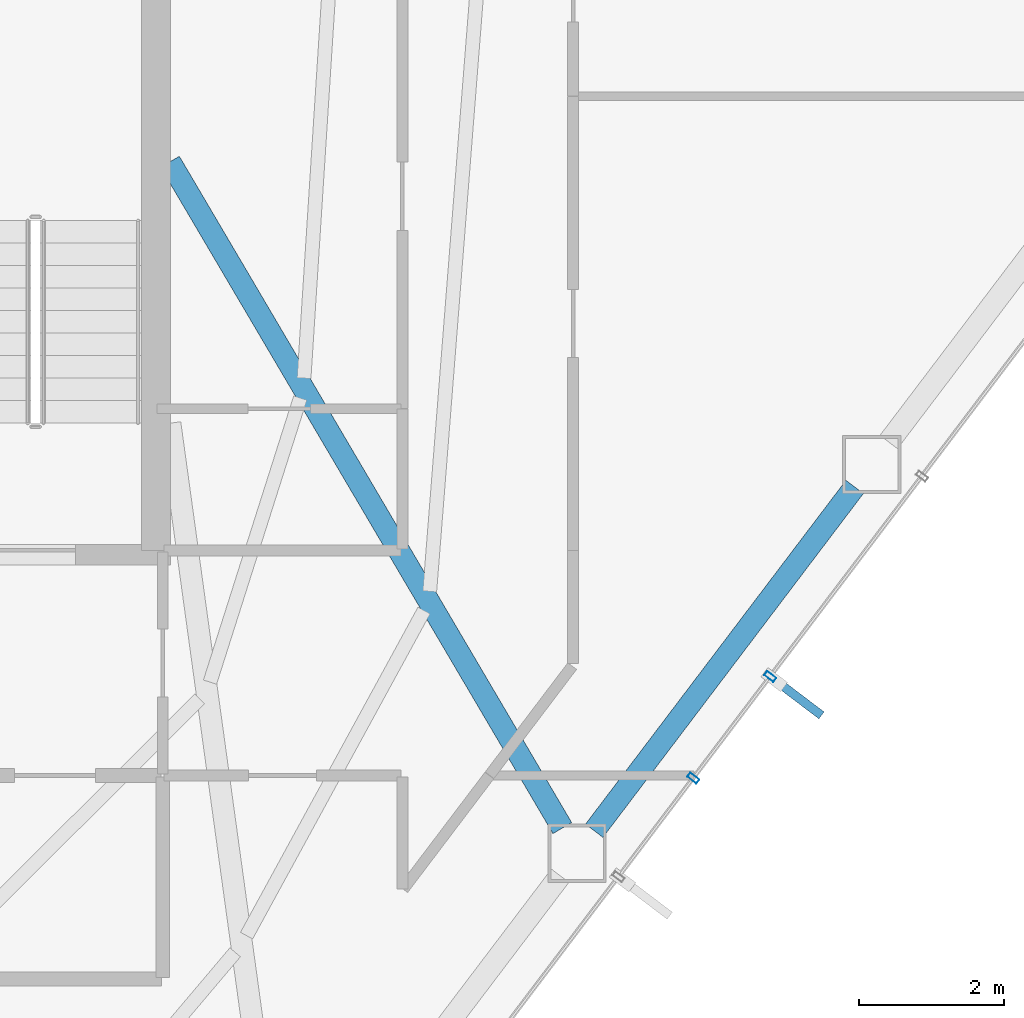
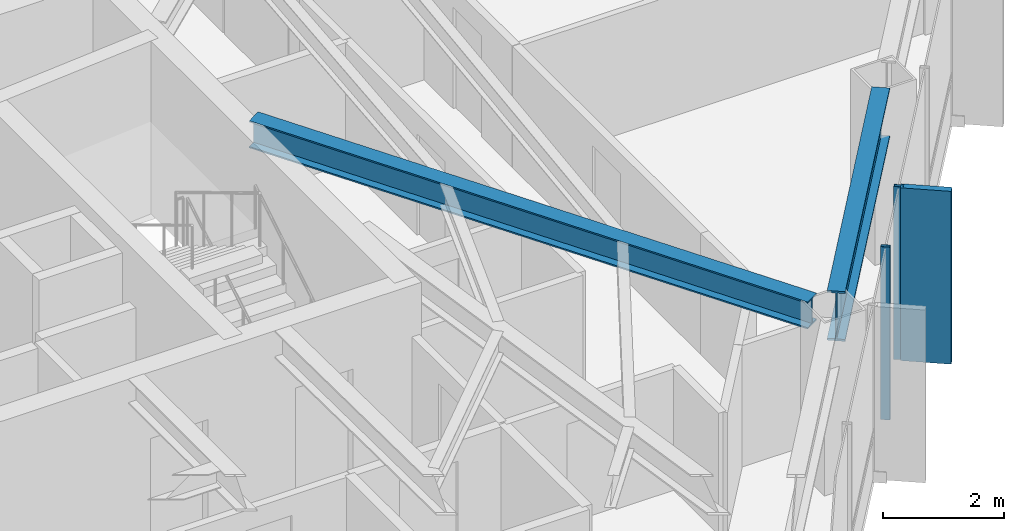
# One storey, part 19 of 28: 3 members, 2 beams, 1 element without a shape of its own.
"""IFC4 building model written with IfcOpenShell, lengths in metres."""

from ifc_helpers import new_model, si_unit, direction, frame, origin, origin_2d, place, context, subcontext, project, spatial, rectangle, hollow_rectangle, i_section, extrude, material, layer, layer_set, material_profile, profile_set, type_object, element, aggregate, save


model = new_model("IFC4")

# Units and contexts
model_context = context("Model", 3, precision=1e-05, world=origin(), true_north=direction((0.0, 1.0)))
body_context = subcontext(model_context, "Body", "Model", "MODEL_VIEW")
ifc_project = project(units=[si_unit("LENGTHUNIT", "METRE"), si_unit("AREAUNIT", "SQUARE_METRE"), si_unit("VOLUMEUNIT", "CUBIC_METRE"), si_unit("PLANEANGLEUNIT", "RADIAN"), si_unit("MASSUNIT", "GRAM", prefix="KILO")], contexts=[model_context])

# Site, building, storey
site_placement = place(None, origin())
site = spatial("IfcSite", under=ifc_project, at=site_placement, CompositionType="ELEMENT")
building_placement = place(site_placement, origin())
building = spatial("IfcBuilding", under=site, at=building_placement, Name="Zarrinselat Tower", CompositionType="ELEMENT")
storey_placement = place(building_placement, frame((0.0, 0.0, 157.080078125)))
storey = spatial("IfcBuildingStorey", under=building, at=storey_placement, Name="L38", CompositionType="ELEMENT", Elevation=157.080078125)

# Beams
ifc_material_1 = material(Name="Steel S355J2", Category="steel")
ifc_material_profile_1 = material_profile(ifc_material_1, i_section(OverallWidth=0.300048828125, OverallDepth=0.550048828125, WebThickness=0.014892578125, FlangeThickness=0.029052734375, at=origin_2d()), Name="HEB 550")
ifc_profile_set_1 = profile_set([ifc_material_profile_1], Name="Steel S355J2")
beam_type_1 = type_object("IfcBeamType", Name="BM-HEB550", PredefinedType="BEAM", material=ifc_profile_set_1)
beam_1_placement = place(storey_placement, frame((48.449951171875, 38.60009765625, 3.224853515625), z_axis=(0.507416914509, -0.861700687519, 0.0), x_axis=(0.861700687519, 0.507416914509, 0.0)))
element("IfcBeam", 1, at=beam_1_placement, inside=storey, type_object=beam_type_1, Name="L38 Radial Primary Girder RG13", PredefinedType="BEAM", context=body_context, shape_type="SweptSolid", body=[
    extrude(i_section(OverallWidth=0.300048828125, OverallDepth=0.550048828125, WebThickness=0.014892578125, FlangeThickness=0.029052734375, at=origin_2d()), origin(), (0.0, 0.0, 1.0), 10.646728515625),
])
ifc_material_2 = material(Name="Steel S460M", Category="steel")
ifc_material_profile_2 = material_profile(ifc_material_2, i_section(OverallWidth=0.302001953125, OverallDepth=1.008056640625, WebThickness=0.02099609375, FlangeThickness=0.0400390625, at=origin_2d()), Name="HEM 1000")
ifc_profile_set_2 = profile_set([ifc_material_profile_2], Name="Steel S460M")
beam_type_2 = type_object("IfcBeamType", Name="BM-HEM1000", PredefinedType="BEAM", material=ifc_profile_set_2)
beam_2_placement = place(storey_placement, frame((54.290771484375, 29.388916015625, 2.995849609375), z_axis=(0.603860062149, 0.797090349547, 0.0), x_axis=(-0.797090349547, 0.603860062149, 0.0)))
element("IfcBeam", 2, at=beam_2_placement, inside=storey, type_object=beam_type_2, Name="L38 Perimeter Spandrel Girder SP13", PredefinedType="BEAM", context=body_context, shape_type="SweptSolid", body=[
    extrude(i_section(OverallWidth=0.302001953125, OverallDepth=1.008056640625, WebThickness=0.02099609375, FlangeThickness=0.0400390625, at=origin_2d()), origin(), (0.0, 0.0, 1.0), 5.939453125),
])

# Curtain wall, members
ifc_material_3 = material(Name="Extruded Aluminium Alloy EN AW-6063 T6", Category="aluminium")
ifc_layer = layer(ifc_material_3, 0.175048828125)
ifc_layer_set = layer_set([ifc_layer], Name="Extruded Aluminium Alloy EN AW-6063 T6")
curtain_wall_type = type_object("IfcCurtainWallType", Name="CWS-HTL", PredefinedType="NOTDEFINED", material=ifc_layer_set)
curtain_wall_placement = place(storey_placement, origin())
curtain_wall = element("IfcCurtainWall", 3, at=curtain_wall_placement, inside=storey, type_object=curtain_wall_type, Name="L38 Unitised Curtain Wall CW-L38-E05", PredefinedType="NOTDEFINED")
ifc_material_4 = material(Name="Extruded Aluminium Alloy EN AW-6063 T6", Category="aluminium")
ifc_material_profile_3 = material_profile(ifc_material_4, hollow_rectangle(XDim=0.070068359375, YDim=0.159912109375, WallThickness=0.00390625, at=origin_2d()), Name="RHS 160x70x4")
ifc_profile_set_3 = profile_set([ifc_material_profile_3], Name="Extruded Aluminium Alloy EN AW-6063 T6")
member_type_1 = type_object("IfcMemberType", Name="MEM-CW-MUL2", PredefinedType="MULLION", material=ifc_profile_set_3)
member_1_placement = place(storey_placement, frame((56.71484375, 31.51220703125, 0.0), z_axis=(0.0, 0.0, 1.0), x_axis=(-0.603858522722, -0.797091515785, 0.0)))
member_1 = element("IfcMember", 4, at=member_1_placement, type_object=member_type_1, Name="CW-L38-E05 Mullion 3", PredefinedType="MULLION", context=body_context, shape_type="SweptSolid", body=[
    extrude(hollow_rectangle(XDim=0.070068359375, YDim=0.159912109375, WallThickness=0.00390625, at=origin_2d()), origin(), (0.0, 0.0, 1.0), 3.5),
])
member_2_placement = place(storey_placement, frame((55.6552734375, 30.11376953125, 0.0), z_axis=(0.0, 0.0, 1.0), x_axis=(-0.603858522722, -0.797091515785, 0.0)))
member_2 = element("IfcMember", 5, at=member_2_placement, type_object=member_type_1, Name="CW-L38-E05 Mullion 4", PredefinedType="MULLION", context=body_context, shape_type="SweptSolid", body=[
    extrude(hollow_rectangle(XDim=0.070068359375, YDim=0.159912109375, WallThickness=0.00390625, at=origin_2d()), origin(), (0.0, 0.0, 1.0), 3.5),
])
ifc_material_5 = material(Name="Honed Cream Travertine Stone", Category="masonry")
ifc_material_profile_4 = material_profile(ifc_material_5, rectangle(XDim=0.1201171875, YDim=0.85009765625, at=origin_2d()), Name="FIN 850x120")
ifc_profile_set_4 = profile_set([ifc_material_profile_4], Name="Honed Cream Travertine Stone")
member_type_2 = type_object("IfcMemberType", Name="MEM-STONE-FIN", PredefinedType="USERDEFINED", material=ifc_profile_set_4)
member_3_placement = place(storey_placement, frame((57.08154296875, 31.234619140625, 0.0), z_axis=(0.0, 0.0, 1.0), x_axis=(-0.603858522722, -0.797091515785, 0.0)))
member_3 = element("IfcMember", 6, at=member_3_placement, type_object=member_type_2, Name="L38 Stone Shading Fin CW-L38-E05-03", ObjectType="FIN", PredefinedType="USERDEFINED", context=body_context, shape_type="SweptSolid", body=[
    extrude(rectangle(XDim=0.1201171875, YDim=0.85009765625, at=origin_2d()), origin(), (0.0, 0.0, 1.0), 3.5),
])
aggregate(curtain_wall, [member_1, member_3, member_2])

save(model, "model.ifc")
